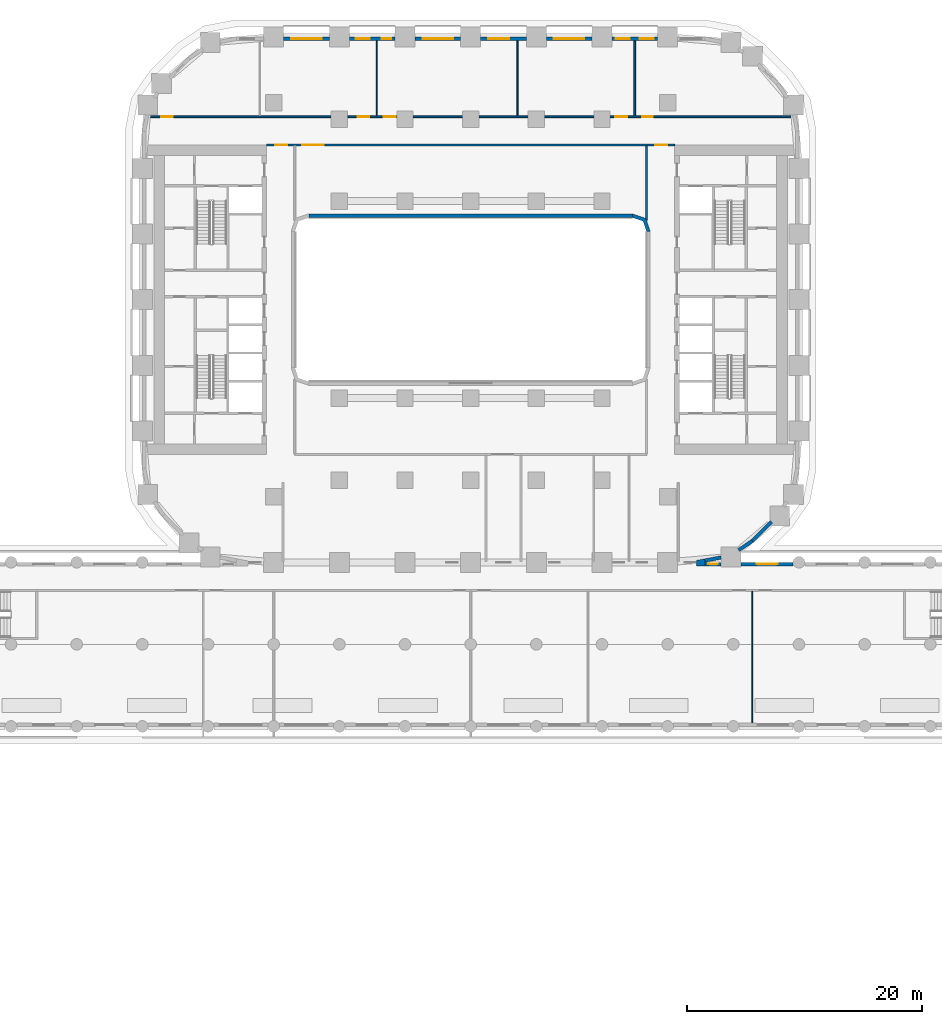
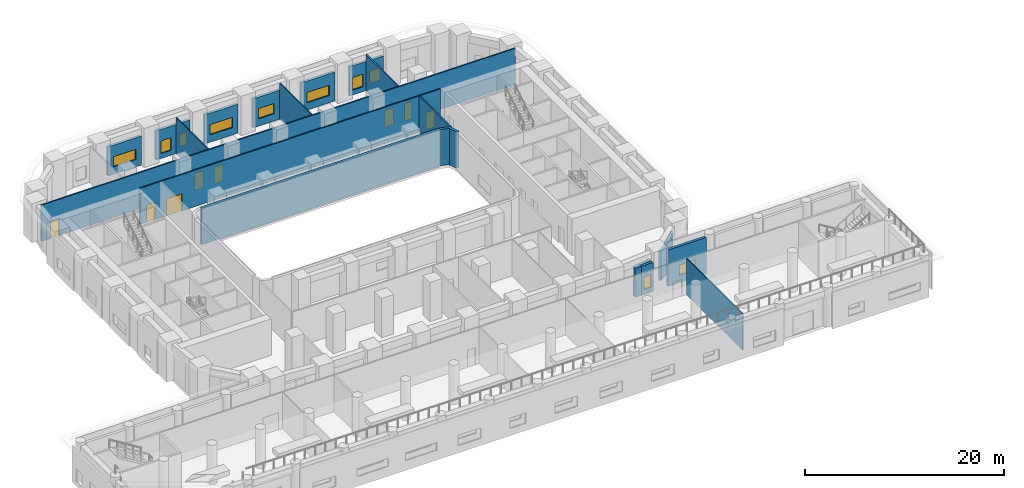
# One storey, part 24 of 35: 21 walls, 10 windows, 8 doors, 18 openings.
"""IFC4 building model written with IfcOpenShell, lengths in metres."""

import ifcopenshell
import ifcopenshell.guid

model = None  # the IFC model being written
_history = None  # IfcOwnerHistory: only IFC2X3 demands one
_inside = {}  # id of a spatial element -> (the spatial element, [elements in it])
_under = {}  # id of a project, library or spatial element -> (it, [spatial elements below it])
_declared = {}  # id of a project -> (the project, [libraries it declares])
_typed = {}  # id of a type object -> (the type object, [elements of that type])
_made_of = {}  # id of a material, layer set ... -> (it, [elements and type objects made of it])


def new_model(schema):
    """Start an empty IFC model of exactly this schema.

    Asked for "IFC4X3", IfcOpenShell would pick the latest addendum, in which some entities
    have other attributes; the version numbers below select the first issue.
    IFC2X3 requires an IfcOwnerHistory on every rooted entity: one is made here for all.
    """
    global model, _history
    if schema == "IFC4X3":
        model = ifcopenshell.file(schema_version=(4, 3, 0, 0))
    else:
        model = ifcopenshell.file(schema=schema)
    _inside.clear()
    _under.clear()
    _declared.clear()
    _typed.clear()
    _made_of.clear()
    _history = None
    if model.schema == "IFC2X3":
        org = make("IfcOrganization", Name="unknown")
        user = make(
            "IfcPersonAndOrganization",
            ThePerson=make("IfcPerson", FamilyName="unknown"),
            TheOrganization=org,
        )
        app = make(
            "IfcApplication",
            ApplicationDeveloper=org,
            Version="unknown",
            ApplicationFullName="unknown",
            ApplicationIdentifier="unknown",
        )
        _history = make(
            "IfcOwnerHistory",
            OwningUser=user,
            OwningApplication=app,
            ChangeAction="ADDED",
            CreationDate=0,
        )
    return model


def make(cls, **values):
    """One entity of the class cls with the attributes given. An attribute that is None is left unset."""
    return model.create_entity(
        cls, **{name: value for name, value in values.items() if value is not None}
    )


def rooted(cls, **values):
    """An entity with a GlobalId (a new one), such as an element, a storey or a relation."""
    return make(cls, GlobalId=ifcopenshell.guid.new(), OwnerHistory=_history, **values)


def si_unit(unit_type, name, prefix=None):
    """IfcSIUnit, for example si_unit("LENGTHUNIT", "METRE", prefix="MILLI")."""
    return make("IfcSIUnit", UnitType=unit_type, Prefix=prefix, Name=name)


def assignment(units):
    """IfcUnitAssignment: the units of a project."""
    return None if units is None else make("IfcUnitAssignment", Units=units)


def point(xyz):
    """IfcCartesianPoint."""
    return None if xyz is None else make("IfcCartesianPoint", Coordinates=xyz)


def direction(xyz):
    """IfcDirection."""
    return None if xyz is None else make("IfcDirection", DirectionRatios=xyz)


def frame(location, z_axis=None, x_axis=None):
    """IfcAxis2Placement3D, a coordinate frame: its origin and axes. An axis left out is left unset."""
    return make(
        "IfcAxis2Placement3D",
        Location=point(location),
        Axis=direction(z_axis),
        RefDirection=direction(x_axis),
    )


def frame_2d(location, x_axis=None):
    """IfcAxis2Placement2D, a coordinate frame in the plane: its origin and x axis."""
    return make(
        "IfcAxis2Placement2D", Location=point(location), RefDirection=direction(x_axis)
    )


def origin():
    """The frame at (0, 0, 0) with its axes left unset."""
    return frame((0.0, 0.0, 0.0))


def place(relative_to, where):
    """IfcLocalPlacement: puts the frame where relative to a parent placement (None: the world)."""
    return make(
        "IfcLocalPlacement", PlacementRelTo=relative_to, RelativePlacement=where
    )


def context(
    kind, dimensions, precision=None, world=None, true_north=None, identifier=None
):
    """IfcGeometricRepresentationContext, for example the 3D "Model" context."""
    return make(
        "IfcGeometricRepresentationContext",
        ContextIdentifier=identifier,
        ContextType=kind,
        CoordinateSpaceDimension=dimensions,
        Precision=precision,
        WorldCoordinateSystem=world,
        TrueNorth=true_north,
    )


def subcontext(parent, identifier, kind, view, scale=None):
    """IfcGeometricRepresentationSubContext, for example "Body" below "Model"."""
    return make(
        "IfcGeometricRepresentationSubContext",
        ContextIdentifier=identifier,
        ContextType=kind,
        ParentContext=parent,
        TargetScale=scale,
        TargetView=view,
    )


def project(units=None, contexts=None):
    """IfcProject with its units and contexts."""
    return rooted(
        "IfcProject",
        Name="project",
        RepresentationContexts=contexts,
        UnitsInContext=assignment(units),
    )


def spatial(cls, under=None, at=None, **own):
    """A site, building, storey or space (cls), placed at a placement, below another one or the project."""
    s = rooted(cls, ObjectPlacement=at, **own)
    if under is not None:
        _under.setdefault(under.id(), (under, []))[1].append(s)
    return s


def polyline(points):
    """IfcPolyline through the points."""
    return make("IfcPolyline", Points=[point(p) for p in points])


def profile(cls, at=None, kind="AREA", **sizes):
    """A parametric profile (cls). Its sizes go by their IFC names, for example OverallWidth=200.0."""
    return make(cls, ProfileType=kind, Position=at, **sizes)


def rectangle(**sizes):
    """IfcRectangleProfileDef."""
    return profile("IfcRectangleProfileDef", **sizes)


def outline(outer, holes=None, kind="AREA"):
    """IfcArbitraryClosedProfileDef: a profile drawn as a closed curve; with holes, ...WithVoids."""
    if holes is None:
        return make("IfcArbitraryClosedProfileDef", ProfileType=kind, OuterCurve=outer)
    return make(
        "IfcArbitraryProfileDefWithVoids",
        ProfileType=kind,
        OuterCurve=outer,
        InnerCurves=holes,
    )


def extrude(swept, where, along, depth):
    """IfcExtrudedAreaSolid: the profile swept, set in the frame where, extruded along a direction by depth."""
    return make(
        "IfcExtrudedAreaSolid",
        SweptArea=swept,
        Position=where,
        ExtrudedDirection=direction(along),
        Depth=depth,
    )


def shape(context_of_items, identifier, shape_type, items):
    """IfcShapeRepresentation: the items that make up one representation, for example the "Body"."""
    return make(
        "IfcShapeRepresentation",
        ContextOfItems=context_of_items,
        RepresentationIdentifier=identifier,
        RepresentationType=shape_type,
        Items=items,
    )


def material(Name=None, Category=None):
    """IfcMaterial."""
    return make("IfcMaterial", Name=Name, Category=Category)


def layer(
    of_material, thickness, ventilated=None, Name=None, Category=None, Priority=None
):
    """IfcMaterialLayer: one layer of a wall or slab, of a material (None: an air gap)."""
    return make(
        "IfcMaterialLayer",
        Material=of_material,
        LayerThickness=thickness,
        IsVentilated=ventilated,
        Name=Name,
        Category=Category,
        Priority=Priority,
    )


def layer_set(layers, Name=None):
    """IfcMaterialLayerSet."""
    return make("IfcMaterialLayerSet", MaterialLayers=layers, LayerSetName=Name)


def made_of(thing, what):
    """Note that an element or type object is made of a material, layer set ...; save() writes the relation."""
    if what is not None:
        _made_of.setdefault(what.id(), (what, []))[1].append(thing)
    return thing


def type_object(cls, material=None, **own):
    """A type object (cls), such as IfcWallType, which elements share."""
    return made_of(rooted(cls, **own), material)


def element(
    cls,
    number,
    at=None,
    inside=None,
    cuts=None,
    type_object=None,
    material=None,
    context=None,
    identifier="Body",
    shape_type=None,
    held_by="IfcProductDefinitionShape",
    body=None,
    shapes=None,
    **own,
):
    """One element of the class cls, such as IfcWall. Its Tag is "e" and its number.

    at: its placement. inside: the storey or other place that contains it. cuts: it is an
    opening in that element (IfcRelVoidsElement). A single representation is given by context,
    identifier, shape_type and body (its items); several are given by shapes. held_by: the class
    of the entity that holds the representations. save() writes the other relations.
    """
    e = rooted(cls, Tag="e%d" % number, ObjectPlacement=at, **own)
    if body is not None:
        shapes = [shape(context, identifier, shape_type, body)]
    if shapes is not None:
        e.Representation = make(held_by, Representations=shapes)
    if inside is not None:
        _inside.setdefault(inside.id(), (inside, []))[1].append(e)
    if cuts is not None:
        rooted(
            "IfcRelVoidsElement", RelatingBuildingElement=cuts, RelatedOpeningElement=e
        )
    if type_object is not None:
        _typed.setdefault(type_object.id(), (type_object, []))[1].append(e)
    return made_of(e, material)


def fill(opening, filler):
    """IfcRelFillsElement: the door or window that sits in an opening."""
    return rooted(
        "IfcRelFillsElement",
        RelatingOpeningElement=opening,
        RelatedBuildingElement=filler,
    )


def aggregate(whole, parts):
    """IfcRelAggregates: a whole, such as a stair, and the parts it consists of."""
    return rooted("IfcRelAggregates", RelatingObject=whole, RelatedObjects=parts)


def save(model, path):
    """Write the relations noted so far, then the file.

    IfcRelAggregates (storeys below a building ...), IfcRelContainedInSpatialStructure (elements
    in a storey), IfcRelDefinesByType, IfcRelAssociatesMaterial and IfcRelDeclares: one each for
    every whole, place, type object, material and project.
    """
    for whole, parts in _under.values():
        aggregate(whole, parts)
    for where, things in _inside.values():
        rooted(
            "IfcRelContainedInSpatialStructure",
            RelatedElements=things,
            RelatingStructure=where,
        )
    for kind, things in _typed.values():
        rooted("IfcRelDefinesByType", RelatedObjects=things, RelatingType=kind)
    for what, things in _made_of.values():
        rooted("IfcRelAssociatesMaterial", RelatedObjects=things, RelatingMaterial=what)
    for by, libraries in _declared.values():
        rooted("IfcRelDeclares", RelatingContext=by, RelatedDefinitions=libraries)
    model.write(path)


model = new_model("IFC4")

# Units and contexts
model_context = context("Model", 3, precision=1e-05, world=origin(), true_north=direction((0.0, 1.0)))
body_context = subcontext(model_context, "Body", "Model", "MODEL_VIEW")
ifc_project = project(units=[si_unit("LENGTHUNIT", "METRE"), si_unit("AREAUNIT", "SQUARE_METRE"), si_unit("VOLUMEUNIT", "CUBIC_METRE"), si_unit("PLANEANGLEUNIT", "RADIAN"), si_unit("MASSUNIT", "GRAM", prefix="KILO")], contexts=[model_context])

# Site, building, storey
site_placement = place(None, origin())
site = spatial("IfcSite", under=ifc_project, at=site_placement, CompositionType="ELEMENT")
building_placement = place(site_placement, origin())
building = spatial("IfcBuilding", under=site, at=building_placement, Name="Kiln Ring Residences", CompositionType="ELEMENT")
storey_placement = place(building_placement, frame((0.0, 0.0, 20.89990234375)))
storey = spatial("IfcBuildingStorey", under=building, at=storey_placement, Name="L04", CompositionType="ELEMENT", Elevation=20.89990234375)

# Wall, opening, window
ifc_material_1 = material(Name="Brick masonry, dark clay brick", Category="masonry")
ifc_layer_1 = layer(ifc_material_1, 0.300048828125)
ifc_layer_set_1 = layer_set([ifc_layer_1], Name="EW-300 BRICK WALL")
wall_type_1 = type_object("IfcWallType", Name="EW-300 BRICK WALL", PredefinedType="SOLIDWALL", material=ifc_layer_set_1)
wall_1_placement = place(storey_placement, frame((27.5, -22.550048828125, 0.0), z_axis=(0.0, 0.0, 1.0), x_axis=(-1.0, 0.0, 0.0)))
wall_1 = element("IfcWall", 1, at=wall_1_placement, inside=storey, type_object=wall_type_1, Name="Facade wall L04 6", PredefinedType="SOLIDWALL", context=body_context, shape_type="SweptSolid", body=[
    extrude(rectangle(XDim=4.44140625, YDim=0.300048828125, at=frame_2d((2.220703125, 0.0))), origin(), (0.0, 0.0, 1.0), 4.4501953125),
])
opening_1_placement = place(wall_1_placement, frame((1.320556640625, 0.0, 0.89990234375)))
opening_1 = element("IfcOpeningElement", 2, at=opening_1_placement, cuts=wall_1, Name="Opening W2", PredefinedType="OPENING", context=body_context, shape_type="SweptSolid", body=[
    extrude(rectangle(XDim=1.800048828125, YDim=1.25, at=frame_2d((0.89990234375, 0.625))), frame((0.0, 0.159912109375, 0.0), z_axis=(0.0, -1.0, 0.0), x_axis=(1.0, 0.0, 0.0)), (0.0, 0.0, 1.0), 0.320068359375),
])
ifc_material_2 = material(Name="Aluminium frame with double glazing", Category="aluminium")
window_type_1 = type_object("IfcWindowType", Name="WINDOW 1800 x 1250", PartitioningType="SINGLE_PANEL", PredefinedType="WINDOW", material=ifc_material_2)
window_1_placement = place(opening_1_placement, origin())
window_1 = element("IfcWindow", 3, at=window_1_placement, inside=storey, type_object=window_type_1, Name="Window L04 7", OverallHeight=1.25, OverallWidth=1.800048828125, PartitioningType="SINGLE_PANEL", PredefinedType="WINDOW", context=body_context, shape_type="SweptSolid", body=[
    extrude(rectangle(XDim=1.800048828125, YDim=1.25, at=frame_2d((0.89990234375, 0.625))), frame((0.0, 0.030029296875, 0.0), z_axis=(0.0, -1.0, 0.0), x_axis=(1.0, 0.0, 0.0)), (0.0, 0.0, 1.0), 0.06005859375),
])
fill(opening_1, window_1)

wall_2_placement = place(storey_placement, frame((21.358642578125, -22.550048828125, 0.0), z_axis=(0.0, 0.0, 1.0), x_axis=(-1.0, 0.0, 0.0)))
wall_2 = element("IfcWall", 4, at=wall_2_placement, inside=storey, type_object=wall_type_1, Name="Facade wall L04 7", PredefinedType="SOLIDWALL", context=body_context, shape_type="SweptSolid", body=[
    extrude(rectangle(XDim=1.358642578125, YDim=0.300048828125, at=frame_2d((0.67919921875, 0.0))), origin(), (0.0, 0.0, 1.0), 3.550048828125),
])
opening_2_placement = place(wall_2_placement, frame((0.279296875, 0.0, 0.60009765625)))
opening_2 = element("IfcOpeningElement", 5, at=opening_2_placement, cuts=wall_2, Name="Opening W5", PredefinedType="OPENING", context=body_context, shape_type="SweptSolid", body=[
    extrude(rectangle(XDim=0.800048828125, YDim=1.550048828125, at=frame_2d((0.39990234375, 0.77490234375))), frame((0.0, 0.159912109375, 0.0), z_axis=(0.0, -1.0, 0.0), x_axis=(1.0, 0.0, 0.0)), (0.0, 0.0, 1.0), 0.320068359375),
])
ifc_material_3 = material(Name="Aluminium frame with double glazing", Category="aluminium")
window_type_2 = type_object("IfcWindowType", Name="WINDOW 800 x 1550", PartitioningType="SINGLE_PANEL", PredefinedType="WINDOW", material=ifc_material_3)
window_2_placement = place(opening_2_placement, origin())
window_2 = element("IfcWindow", 6, at=window_2_placement, inside=storey, type_object=window_type_2, Name="Window L04 8", OverallHeight=1.550048828125, OverallWidth=0.800048828125, PartitioningType="SINGLE_PANEL", PredefinedType="WINDOW", context=body_context, shape_type="SweptSolid", body=[
    extrude(rectangle(XDim=0.800048828125, YDim=1.550048828125, at=frame_2d((0.39990234375, 0.77490234375))), frame((0.0, 0.030029296875, 0.0), z_axis=(0.0, -1.0, 0.0), x_axis=(1.0, 0.0, 0.0)), (0.0, 0.0, 1.0), 0.06005859375),
])
fill(opening_2, window_2)

# Walls
for number, where, z_axis, x_axis, name in (
    (7, (19.971923828125, -22.252685546875, 0.0), (0.0, 0.0, 1.0), (0.98229142023, 0.187359455971, 0.0), "Facade wall L04 8"),
    (8, (22.849853515625, -21.369140625, 0.0), (0.0, 0.0, 1.0), (0.827075041075, 0.562091519622, 0.0), "Facade wall L04 9"),
):
    element("IfcWall", number, at=place(storey_placement, frame(where, z_axis=z_axis, x_axis=x_axis)), inside=storey, type_object=wall_type_1, Name=name, PredefinedType="SOLIDWALL", context=body_context, shape_type="SweptSolid", body=[
        extrude(rectangle(XDim=1.406005859375, YDim=0.300048828125, at=frame_2d((0.703125, 0.0))), origin(), (0.0, 0.0, 1.0), 3.550048828125),
    ])
wall_3_placement = place(storey_placement, frame((23.990966796875, -20.596923828125, 0.0), z_axis=(0.0, 0.0, 1.0), x_axis=(0.707054835785, 0.707158722772, 0.0)))
element("IfcWall", 9, at=wall_3_placement, inside=storey, type_object=wall_type_1, Name="Facade wall L04 10", PredefinedType="SOLIDWALL", context=body_context, shape_type="SweptSolid", body=[
    extrude(rectangle(XDim=2.35009765625, YDim=0.300048828125, at=frame_2d((1.175048828125, 0.0))), origin(), (0.0, 0.0, 1.0), 3.550048828125),
])

# Wall, openings, windows
wall_4_placement = place(storey_placement, frame((15.949951171875, 22.25, 0.0), z_axis=(0.0, 0.0, 1.0), x_axis=(-1.0, 0.0, 0.0)))
wall_4 = element("IfcWall", 10, at=wall_4_placement, inside=storey, type_object=wall_type_1, Name="Facade wall L04 25", PredefinedType="SOLIDWALL", context=body_context, shape_type="SweptSolid", body=[
    extrude(rectangle(XDim=3.89990234375, YDim=0.300048828125, at=frame_2d((1.949951171875, 0.0))), origin(), (0.0, 0.0, 1.0), 3.550048828125),
])
opening_3_placement = place(wall_4_placement, frame((0.33740234375, 0.0, 0.60009765625)))
opening_3 = element("IfcOpeningElement", 11, at=opening_3_placement, cuts=wall_4, Name="Opening W1", PredefinedType="OPENING", context=body_context, shape_type="SweptSolid", body=[
    extrude(rectangle(XDim=1.199951171875, YDim=1.550048828125, at=frame_2d((0.60009765625, 0.77490234375))), frame((0.0, 0.159912109375, 0.0), z_axis=(0.0, -1.0, 0.0), x_axis=(1.0, 0.0, 0.0)), (0.0, 0.0, 1.0), 0.320068359375),
])
opening_4_placement = place(wall_4_placement, frame((2.362548828125, 0.0, 0.60009765625)))
opening_4 = element("IfcOpeningElement", 12, at=opening_4_placement, cuts=wall_4, Name="Opening W1", PredefinedType="OPENING", context=body_context, shape_type="SweptSolid", body=[
    extrude(rectangle(XDim=1.199951171875, YDim=1.550048828125, at=frame_2d((0.60009765625, 0.77490234375))), frame((0.0, 0.159912109375, 0.0), z_axis=(0.0, -1.0, 0.0), x_axis=(1.0, 0.0, 0.0)), (0.0, 0.0, 1.0), 0.320068359375),
])
ifc_material_4 = material(Name="Aluminium frame with double glazing", Category="aluminium")
window_type_3 = type_object("IfcWindowType", Name="WINDOW 1200 x 1550", PartitioningType="SINGLE_PANEL", PredefinedType="WINDOW", material=ifc_material_4)
window_3_placement = place(opening_3_placement, origin())
window_3 = element("IfcWindow", 13, at=window_3_placement, inside=storey, type_object=window_type_3, Name="Window L04 11", OverallHeight=1.550048828125, OverallWidth=1.199951171875, PartitioningType="SINGLE_PANEL", PredefinedType="WINDOW", context=body_context, shape_type="SweptSolid", body=[
    extrude(rectangle(XDim=1.199951171875, YDim=1.550048828125, at=frame_2d((0.60009765625, 0.77490234375))), frame((0.0, 0.030029296875, 0.0), z_axis=(0.0, -1.0, 0.0), x_axis=(1.0, 0.0, 0.0)), (0.0, 0.0, 1.0), 0.06005859375),
])
fill(opening_3, window_3)
window_4_placement = place(opening_4_placement, origin())
window_4 = element("IfcWindow", 14, at=window_4_placement, inside=storey, type_object=window_type_3, Name="Window L04 12", OverallHeight=1.550048828125, OverallWidth=1.199951171875, PartitioningType="SINGLE_PANEL", PredefinedType="WINDOW", context=body_context, shape_type="SweptSolid", body=[
    extrude(rectangle(XDim=1.199951171875, YDim=1.550048828125, at=frame_2d((0.60009765625, 0.77490234375))), frame((0.0, 0.030029296875, 0.0), z_axis=(0.0, -1.0, 0.0), x_axis=(1.0, 0.0, 0.0)), (0.0, 0.0, 1.0), 0.06005859375),
])
fill(opening_4, window_4)

# Wall, opening, window
wall_5_placement = place(storey_placement, frame((10.35009765625, 22.25, 0.0), z_axis=(0.0, 0.0, 1.0), x_axis=(-1.0, 0.0, 0.0)))
wall_5 = element("IfcWall", 15, at=wall_5_placement, inside=storey, type_object=wall_type_1, Name="Facade wall L04 26", PredefinedType="SOLIDWALL", context=body_context, shape_type="SweptSolid", body=[
    extrude(rectangle(XDim=3.900146484375, YDim=0.300048828125, at=frame_2d((1.9501953125, 0.0))), origin(), (0.0, 0.0, 1.0), 3.550048828125),
])
opening_5_placement = place(wall_5_placement, frame((0.64990234375, 0.0, 0.89990234375)))
opening_5 = element("IfcOpeningElement", 16, at=opening_5_placement, cuts=wall_5, Name="Opening W3", PredefinedType="OPENING", context=body_context, shape_type="SweptSolid", body=[
    extrude(rectangle(XDim=2.60009765625, YDim=1.25, at=frame_2d((1.300048828125, 0.625))), frame((0.0, 0.159912109375, 0.0), z_axis=(0.0, -1.0, 0.0), x_axis=(1.0, 0.0, 0.0)), (0.0, 0.0, 1.0), 0.320068359375),
])
ifc_material_5 = material(Name="Aluminium frame with double glazing", Category="aluminium")
window_type_4 = type_object("IfcWindowType", Name="WINDOW 2600 x 1250", PartitioningType="SINGLE_PANEL", PredefinedType="WINDOW", material=ifc_material_5)
window_5_placement = place(opening_5_placement, origin())
window_5 = element("IfcWindow", 17, at=window_5_placement, inside=storey, type_object=window_type_4, Name="Window L04 13", OverallHeight=1.25, OverallWidth=2.60009765625, PartitioningType="SINGLE_PANEL", PredefinedType="WINDOW", context=body_context, shape_type="SweptSolid", body=[
    extrude(rectangle(XDim=2.60009765625, YDim=1.25, at=frame_2d((1.300048828125, 0.625))), frame((0.0, 0.030029296875, 0.0), z_axis=(0.0, -1.0, 0.0), x_axis=(1.0, 0.0, 0.0)), (0.0, 0.0, 1.0), 0.06005859375),
])
fill(opening_5, window_5)

wall_6_placement = place(storey_placement, frame((4.75, 22.25, 0.0), z_axis=(0.0, 0.0, 1.0), x_axis=(-1.0, 0.0, 0.0)))
wall_6 = element("IfcWall", 18, at=wall_6_placement, inside=storey, type_object=wall_type_1, Name="Facade wall L04 27", PredefinedType="SOLIDWALL", context=body_context, shape_type="SweptSolid", body=[
    extrude(rectangle(XDim=3.89990234375, YDim=0.300048828125, at=frame_2d((1.949951171875, 0.0))), origin(), (0.0, 0.0, 1.0), 3.550048828125),
])
opening_6_placement = place(wall_6_placement, frame((1.46240234375, 0.0, 0.89990234375)))
opening_6 = element("IfcOpeningElement", 19, at=opening_6_placement, cuts=wall_6, Name="Opening W2", PredefinedType="OPENING", context=body_context, shape_type="SweptSolid", body=[
    extrude(rectangle(XDim=1.800048828125, YDim=1.25, at=frame_2d((0.89990234375, 0.625))), frame((0.0, 0.159912109375, 0.0), z_axis=(0.0, -1.0, 0.0), x_axis=(1.0, 0.0, 0.0)), (0.0, 0.0, 1.0), 0.320068359375),
])
window_6_placement = place(opening_6_placement, origin())
window_6 = element("IfcWindow", 20, at=window_6_placement, inside=storey, type_object=window_type_1, Name="Window L04 14", OverallHeight=1.25, OverallWidth=1.800048828125, PartitioningType="SINGLE_PANEL", PredefinedType="WINDOW", context=body_context, shape_type="SweptSolid", body=[
    extrude(rectangle(XDim=1.800048828125, YDim=1.25, at=frame_2d((0.89990234375, 0.625))), frame((0.0, 0.030029296875, 0.0), z_axis=(0.0, -1.0, 0.0), x_axis=(1.0, 0.0, 0.0)), (0.0, 0.0, 1.0), 0.06005859375),
])
fill(opening_6, window_6)

wall_7_placement = place(storey_placement, frame((-0.85009765625, 22.25, 0.0), z_axis=(0.0, 0.0, 1.0), x_axis=(-1.0, 0.0, 0.0)))
wall_7 = element("IfcWall", 21, at=wall_7_placement, inside=storey, type_object=wall_type_1, Name="Facade wall L04 28", PredefinedType="SOLIDWALL", context=body_context, shape_type="SweptSolid", body=[
    extrude(rectangle(XDim=3.89990234375, YDim=0.300048828125, at=frame_2d((1.949951171875, 0.0))), origin(), (0.0, 0.0, 1.0), 3.550048828125),
])
opening_7_placement = place(wall_7_placement, frame((0.64990234375, 0.0, 0.89990234375)))
opening_7 = element("IfcOpeningElement", 22, at=opening_7_placement, cuts=wall_7, Name="Opening W3", PredefinedType="OPENING", context=body_context, shape_type="SweptSolid", body=[
    extrude(rectangle(XDim=2.60009765625, YDim=1.25, at=frame_2d((1.300048828125, 0.625))), frame((0.0, 0.159912109375, 0.0), z_axis=(0.0, -1.0, 0.0), x_axis=(1.0, 0.0, 0.0)), (0.0, 0.0, 1.0), 0.320068359375),
])
window_7_placement = place(opening_7_placement, origin())
window_7 = element("IfcWindow", 23, at=window_7_placement, inside=storey, type_object=window_type_4, Name="Window L04 15", OverallHeight=1.25, OverallWidth=2.60009765625, PartitioningType="SINGLE_PANEL", PredefinedType="WINDOW", context=body_context, shape_type="SweptSolid", body=[
    extrude(rectangle(XDim=2.60009765625, YDim=1.25, at=frame_2d((1.300048828125, 0.625))), frame((0.0, 0.030029296875, 0.0), z_axis=(0.0, -1.0, 0.0), x_axis=(1.0, 0.0, 0.0)), (0.0, 0.0, 1.0), 0.06005859375),
])
fill(opening_7, window_7)

# Wall, openings, windows
wall_8_placement = place(storey_placement, frame((-6.449951171875, 22.25, 0.0), z_axis=(0.0, 0.0, 1.0), x_axis=(-1.0, 0.0, 0.0)))
wall_8 = element("IfcWall", 24, at=wall_8_placement, inside=storey, type_object=wall_type_1, Name="Facade wall L04 29", PredefinedType="SOLIDWALL", context=body_context, shape_type="SweptSolid", body=[
    extrude(rectangle(XDim=3.900146484375, YDim=0.300048828125, at=frame_2d((1.9501953125, 0.0))), origin(), (0.0, 0.0, 1.0), 3.550048828125),
])
opening_8_placement = place(wall_8_placement, frame((0.33740234375, 0.0, 0.60009765625)))
opening_8 = element("IfcOpeningElement", 25, at=opening_8_placement, cuts=wall_8, Name="Opening W5", PredefinedType="OPENING", context=body_context, shape_type="SweptSolid", body=[
    extrude(rectangle(XDim=0.800048828125, YDim=1.550048828125, at=frame_2d((0.39990234375, 0.77490234375))), frame((0.0, 0.159912109375, 0.0), z_axis=(0.0, -1.0, 0.0), x_axis=(1.0, 0.0, 0.0)), (0.0, 0.0, 1.0), 0.320068359375),
])
opening_9_placement = place(wall_8_placement, frame((2.16259765625, 0.0, 0.60009765625)))
opening_9 = element("IfcOpeningElement", 26, at=opening_9_placement, cuts=wall_8, Name="Opening W1", PredefinedType="OPENING", context=body_context, shape_type="SweptSolid", body=[
    extrude(rectangle(XDim=1.199951171875, YDim=1.550048828125, at=frame_2d((0.60009765625, 0.77490234375))), frame((0.0, 0.159912109375, 0.0), z_axis=(0.0, -1.0, 0.0), x_axis=(1.0, 0.0, 0.0)), (0.0, 0.0, 1.0), 0.320068359375),
])
window_8_placement = place(opening_9_placement, origin())
window_8 = element("IfcWindow", 27, at=window_8_placement, inside=storey, type_object=window_type_3, Name="Window L04 17", OverallHeight=1.550048828125, OverallWidth=1.199951171875, PartitioningType="SINGLE_PANEL", PredefinedType="WINDOW", context=body_context, shape_type="SweptSolid", body=[
    extrude(rectangle(XDim=1.199951171875, YDim=1.550048828125, at=frame_2d((0.60009765625, 0.77490234375))), frame((0.0, 0.030029296875, 0.0), z_axis=(0.0, -1.0, 0.0), x_axis=(1.0, 0.0, 0.0)), (0.0, 0.0, 1.0), 0.06005859375),
])
fill(opening_9, window_8)
window_9_placement = place(opening_8_placement, origin())
window_9 = element("IfcWindow", 28, at=window_9_placement, inside=storey, type_object=window_type_2, Name="Window L04 16", OverallHeight=1.550048828125, OverallWidth=0.800048828125, PartitioningType="SINGLE_PANEL", PredefinedType="WINDOW", context=body_context, shape_type="SweptSolid", body=[
    extrude(rectangle(XDim=0.800048828125, YDim=1.550048828125, at=frame_2d((0.39990234375, 0.77490234375))), frame((0.0, 0.030029296875, 0.0), z_axis=(0.0, -1.0, 0.0), x_axis=(1.0, 0.0, 0.0)), (0.0, 0.0, 1.0), 0.06005859375),
])
fill(opening_8, window_9)

# Wall, opening, window
wall_9_placement = place(storey_placement, frame((-12.050048828125, 22.25, 0.0), z_axis=(0.0, 0.0, 1.0), x_axis=(-1.0, 0.0, 0.0)))
wall_9 = element("IfcWall", 29, at=wall_9_placement, inside=storey, type_object=wall_type_1, Name="Facade wall L04 30", PredefinedType="SOLIDWALL", context=body_context, shape_type="SweptSolid", body=[
    extrude(rectangle(XDim=3.89990234375, YDim=0.300048828125, at=frame_2d((1.949951171875, 0.0))), origin(), (0.0, 0.0, 1.0), 3.550048828125),
])
opening_10_placement = place(wall_9_placement, frame((0.64990234375, 0.0, 0.89990234375)))
opening_10 = element("IfcOpeningElement", 30, at=opening_10_placement, cuts=wall_9, Name="Opening W3", PredefinedType="OPENING", context=body_context, shape_type="SweptSolid", body=[
    extrude(rectangle(XDim=2.60009765625, YDim=1.25, at=frame_2d((1.300048828125, 0.625))), frame((0.0, 0.159912109375, 0.0), z_axis=(0.0, -1.0, 0.0), x_axis=(1.0, 0.0, 0.0)), (0.0, 0.0, 1.0), 0.320068359375),
])
window_10_placement = place(opening_10_placement, origin())
window_10 = element("IfcWindow", 31, at=window_10_placement, inside=storey, type_object=window_type_4, Name="Window L04 18", OverallHeight=1.25, OverallWidth=2.60009765625, PartitioningType="SINGLE_PANEL", PredefinedType="WINDOW", context=body_context, shape_type="SweptSolid", body=[
    extrude(rectangle(XDim=2.60009765625, YDim=1.25, at=frame_2d((1.300048828125, 0.625))), frame((0.0, 0.030029296875, 0.0), z_axis=(0.0, -1.0, 0.0), x_axis=(1.0, 0.0, 0.0)), (0.0, 0.0, 1.0), 0.06005859375),
])
fill(opening_10, window_10)

# Walls
wall_10_placement = place(storey_placement, frame((-13.800048828125, 7.14990234375, 0.0), z_axis=(0.0, 0.0, 1.0), x_axis=(1.0, 0.0, 0.0)))
element("IfcWall", 32, at=wall_10_placement, inside=storey, type_object=wall_type_1, Name="Facade wall L04 72", PredefinedType="SOLIDWALL", context=body_context, shape_type="SweptSolid", body=[
    extrude(rectangle(XDim=27.60009765625, YDim=0.300048828125, at=frame_2d((13.800048828125, 0.0))), origin(), (0.0, 0.0, 1.0), 4.4501953125),
])
placement = place(storey_placement, origin())
element("IfcWall", 33, at=placement, inside=storey, type_object=wall_type_1, Name="Corner wall L04 1", PredefinedType="SOLIDWALL", context=body_context, shape_type="SweptSolid", body=[
    extrude(outline(polyline([(19.94384765625, -22.105224609375), (19.2509765625, -22.237548828125), (19.2509765625, -22.699951171875), (20.0, -22.699951171875), (20.0, -22.39990234375), (19.94384765625, -22.105224609375)])), origin(), (0.0, 0.0, 1.0), 3.550048828125),
])
element("IfcWall", 34, at=placement, inside=storey, type_object=wall_type_1, Name="Corner wall L04 4", PredefinedType="SOLIDWALL", context=body_context, shape_type="SweptSolid", body=[
    extrude(outline(polyline([(14.937255859375, 6.937255859375), (13.8486328125, 7.300048828125), (13.800048828125, 7.300048828125), (13.800048828125, 7.0), (14.699951171875, 6.699951171875), (15.0, 5.800048828125), (15.300048828125, 5.800048828125), (15.300048828125, 5.8486328125), (14.937255859375, 6.937255859375)])), origin(), (0.0, 0.0, 1.0), 4.4501953125),
])
ifc_material_6 = material(Name="Gypsum board on steel studs", Category="steel")
ifc_layer_2 = layer(ifc_material_6, 0.10009765625)
ifc_layer_set_2 = layer_set([ifc_layer_2], Name="PARTITION-100")
wall_type_2 = type_object("IfcWallType", Name="PARTITION-100", PredefinedType="PARTITIONING", material=ifc_layer_set_2)
for number, where, z_axis, x_axis, name in (
    (35, (-8.0, 15.675048828125, 0.0), (0.0, 0.0, 1.0), (0.0, 1.0, 0.0), "Partition 016"),
    (36, (4.0, 15.675048828125, 0.0), (0.0, 0.0, 1.0), (0.0, 1.0, 0.0), "Partition 019"),
):
    element("IfcWall", number, at=place(storey_placement, frame(where, z_axis=z_axis, x_axis=x_axis)), inside=storey, type_object=wall_type_2, Name=name, PredefinedType="PARTITIONING", context=body_context, shape_type="SweptSolid", body=[
        extrude(rectangle(XDim=6.405029296875, YDim=0.10009765625, at=frame_2d((3.20263671875, 0.0))), origin(), (0.0, 0.0, 1.0), 4.4501953125),
    ])
wall_13_placement = place(storey_placement, frame((24.0, -36.080078125, 0.0), z_axis=(0.0, 0.0, 1.0), x_axis=(0.0, 1.0, 0.0)))
element("IfcWall", 37, at=wall_13_placement, inside=storey, type_object=wall_type_2, Name="Partition 028", PredefinedType="PARTITIONING", context=body_context, shape_type="SweptSolid", body=[
    extrude(rectangle(XDim=11.205078125, YDim=0.10009765625, at=frame_2d((5.6025390625, 0.0))), origin(), (0.0, 0.0, 1.0), 4.4501953125),
])

# Wall, openings, doors
ifc_material_7 = material(Name="Brick masonry partition", Category="masonry")
ifc_layer_3 = layer(ifc_material_7, 0.14990234375)
ifc_layer_set_3 = layer_set([ifc_layer_3], Name="PARTITION-150-ei60")
wall_type_3 = type_object("IfcWallType", Name="PARTITION-150-ei60", PredefinedType="PARTITIONING", material=ifc_layer_set_3)
wall_14_placement = place(storey_placement, frame((-17.39990234375, 13.199951171875, 0.0), z_axis=(0.0, 0.0, 1.0), x_axis=(1.0, 0.0, 0.0)))
wall_14 = element("IfcWall", 38, at=wall_14_placement, inside=storey, type_object=wall_type_3, Name="Partition 007", PredefinedType="PARTITIONING", context=body_context, shape_type="SweptSolid", body=[
    extrude(rectangle(XDim=34.7998046875, YDim=0.14990234375, at=frame_2d((17.39990234375, 0.0))), origin(), (0.0, 0.0, 1.0), 4.4501953125),
])
opening_11_placement = place(wall_14_placement, frame((3.050048828125, 0.0, 0.0)))
opening_11 = element("IfcOpeningElement", 39, at=opening_11_placement, cuts=wall_14, Name="Opening L04-D001", PredefinedType="OPENING", context=body_context, shape_type="SweptSolid", body=[
    extrude(rectangle(XDim=1.800048828125, YDim=2.10009765625, at=frame_2d((0.89990234375, 1.050048828125))), frame((0.0, 0.0849609375, 0.0), z_axis=(0.0, -1.0, 0.0), x_axis=(1.0, 0.0, 0.0)), (0.0, 0.0, 1.0), 0.169921875),
])
opening_12_placement = place(wall_14_placement, frame((0.75, 0.0, 0.0)))
opening_12 = element("IfcOpeningElement", 40, at=opening_12_placement, cuts=wall_14, Name="Opening L04-D002", PredefinedType="OPENING", context=body_context, shape_type="SweptSolid", body=[
    extrude(rectangle(XDim=1.0, YDim=2.10009765625, at=frame_2d((0.5, 1.050048828125))), frame((0.0, 0.0849609375, 0.0), z_axis=(0.0, -1.0, 0.0), x_axis=(1.0, 0.0, 0.0)), (0.0, 0.0, 1.0), 0.169921875),
])
opening_13_placement = place(wall_14_placement, frame((33.14990234375, 0.0, 0.0)))
opening_13 = element("IfcOpeningElement", 41, at=opening_13_placement, cuts=wall_14, Name="Opening L04-D003", PredefinedType="OPENING", context=body_context, shape_type="SweptSolid", body=[
    extrude(rectangle(XDim=1.0, YDim=2.10009765625, at=frame_2d((0.5, 1.050048828125))), frame((0.0, 0.0849609375, 0.0), z_axis=(0.0, -1.0, 0.0), x_axis=(1.0, 0.0, 0.0)), (0.0, 0.0, 1.0), 0.169921875),
])
ifc_material_8 = material(Name="Steel faced fire door leaf", Category="steel")
door_type_1 = type_object("IfcDoorType", Name="FLAT-DOOR-1000-FR", OperationType="SINGLE_SWING_LEFT", PredefinedType="DOOR", material=ifc_material_8)
door_1_placement = place(opening_12_placement, origin())
door_1 = element("IfcDoor", 42, at=door_1_placement, inside=storey, type_object=door_type_1, Name="Door L04-D002", OperationType="SINGLE_SWING_LEFT", OverallHeight=2.10009765625, OverallWidth=1.0, PredefinedType="DOOR", context=body_context, shape_type="SweptSolid", body=[
    extrude(rectangle(XDim=1.0, YDim=2.10009765625, at=frame_2d((0.5, 1.050048828125))), frame((0.0, 0.02490234375, 0.0), z_axis=(0.0, -1.0, 0.0), x_axis=(1.0, 0.0, 0.0)), (0.0, 0.0, 1.0), 0.050048828125),
])
fill(opening_12, door_1)
door_2_placement = place(opening_13_placement, origin())
door_2 = element("IfcDoor", 43, at=door_2_placement, inside=storey, type_object=door_type_1, Name="Door L04-D003", OperationType="SINGLE_SWING_RIGHT", OverallHeight=2.10009765625, OverallWidth=1.0, PredefinedType="DOOR", context=body_context, shape_type="SweptSolid", body=[
    extrude(rectangle(XDim=1.0, YDim=2.10009765625, at=frame_2d((0.5, 1.050048828125))), frame((0.0, 0.02490234375, 0.0), z_axis=(0.0, -1.0, 0.0), x_axis=(1.0, 0.0, 0.0)), (0.0, 0.0, 1.0), 0.050048828125),
])
fill(opening_13, door_2)
ifc_material_9 = material(Name="Steel faced fire door leaf", Category="steel")
door_type_2 = type_object("IfcDoorType", Name="FLAT-DOOR-1800-FR", OperationType="SINGLE_SWING_LEFT", PredefinedType="DOOR", material=ifc_material_9)
door_3_placement = place(opening_11_placement, origin())
door_3 = element("IfcDoor", 44, at=door_3_placement, inside=storey, type_object=door_type_2, Name="Door L04-D001", OperationType="SINGLE_SWING_LEFT", OverallHeight=2.10009765625, OverallWidth=1.800048828125, PredefinedType="DOOR", context=body_context, shape_type="SweptSolid", body=[
    extrude(rectangle(XDim=1.800048828125, YDim=2.10009765625, at=frame_2d((0.89990234375, 1.050048828125))), frame((0.0, 0.02490234375, 0.0), z_axis=(0.0, -1.0, 0.0), x_axis=(1.0, 0.0, 0.0)), (0.0, 0.0, 1.0), 0.050048828125),
])
fill(opening_11, door_3)

wall_15_placement = place(storey_placement, frame((-27.44580078125, 15.60009765625, 0.0), z_axis=(0.0, 0.0, 1.0), x_axis=(1.0, 0.0, 0.0)))
wall_15 = element("IfcWall", 45, at=wall_15_placement, inside=storey, type_object=wall_type_3, Name="Partition 008", PredefinedType="PARTITIONING", context=body_context, shape_type="SweptSolid", body=[
    extrude(rectangle(XDim=54.8916015625, YDim=0.14990234375, at=frame_2d((27.44580078125, 0.0))), origin(), (0.0, 0.0, 1.0), 4.4501953125),
])
opening_14_placement = place(wall_15_placement, frame((1.045654296875, 0.0, 0.0)))
opening_14 = element("IfcOpeningElement", 46, at=opening_14_placement, cuts=wall_15, Name="Opening L04-D020", PredefinedType="OPENING", context=body_context, shape_type="SweptSolid", body=[
    extrude(rectangle(XDim=1.0, YDim=2.10009765625, at=frame_2d((0.5, 1.050048828125))), frame((0.0, 0.0849609375, 0.0), z_axis=(0.0, -1.0, 0.0), x_axis=(1.0, 0.0, 0.0)), (0.0, 0.0, 1.0), 0.169921875),
])
opening_15_placement = place(wall_15_placement, frame((17.795654296875, 0.0, 0.0)))
opening_15 = element("IfcOpeningElement", 47, at=opening_15_placement, cuts=wall_15, Name="Opening L04-D021", PredefinedType="OPENING", context=body_context, shape_type="SweptSolid", body=[
    extrude(rectangle(XDim=1.0, YDim=2.10009765625, at=frame_2d((0.5, 1.050048828125))), frame((0.0, 0.0849609375, 0.0), z_axis=(0.0, -1.0, 0.0), x_axis=(1.0, 0.0, 0.0)), (0.0, 0.0, 1.0), 0.169921875),
])
opening_16_placement = place(wall_15_placement, frame((20.045654296875, 0.0, 0.0)))
opening_16 = element("IfcOpeningElement", 48, at=opening_16_placement, cuts=wall_15, Name="Opening L04-D022", PredefinedType="OPENING", context=body_context, shape_type="SweptSolid", body=[
    extrude(rectangle(XDim=1.0, YDim=2.10009765625, at=frame_2d((0.5, 1.050048828125))), frame((0.0, 0.0849609375, 0.0), z_axis=(0.0, -1.0, 0.0), x_axis=(1.0, 0.0, 0.0)), (0.0, 0.0, 1.0), 0.169921875),
])
opening_17_placement = place(wall_15_placement, frame((39.795654296875, 0.0, 0.0)))
opening_17 = element("IfcOpeningElement", 49, at=opening_17_placement, cuts=wall_15, Name="Opening L04-D023", PredefinedType="OPENING", context=body_context, shape_type="SweptSolid", body=[
    extrude(rectangle(XDim=1.0, YDim=2.10009765625, at=frame_2d((0.5, 1.050048828125))), frame((0.0, 0.0849609375, 0.0), z_axis=(0.0, -1.0, 0.0), x_axis=(1.0, 0.0, 0.0)), (0.0, 0.0, 1.0), 0.169921875),
])
opening_18_placement = place(wall_15_placement, frame((42.07470703125, 0.0, 0.0)))
opening_18 = element("IfcOpeningElement", 50, at=opening_18_placement, cuts=wall_15, Name="Opening L04-D024", PredefinedType="OPENING", context=body_context, shape_type="SweptSolid", body=[
    extrude(rectangle(XDim=0.89990234375, YDim=2.10009765625, at=frame_2d((0.449951171875, 1.050048828125))), frame((0.0, 0.0849609375, 0.0), z_axis=(0.0, -1.0, 0.0), x_axis=(1.0, 0.0, 0.0)), (0.0, 0.0, 1.0), 0.169921875),
])
door_4_placement = place(opening_14_placement, origin())
door_4 = element("IfcDoor", 51, at=door_4_placement, inside=storey, type_object=door_type_1, Name="Door L04-D020", OperationType="SINGLE_SWING_RIGHT", OverallHeight=2.10009765625, OverallWidth=1.0, PredefinedType="DOOR", context=body_context, shape_type="SweptSolid", body=[
    extrude(rectangle(XDim=1.0, YDim=2.10009765625, at=frame_2d((0.5, 1.050048828125))), frame((0.0, 0.02490234375, 0.0), z_axis=(0.0, -1.0, 0.0), x_axis=(1.0, 0.0, 0.0)), (0.0, 0.0, 1.0), 0.050048828125),
])
fill(opening_14, door_4)
door_5_placement = place(opening_15_placement, origin())
door_5 = element("IfcDoor", 52, at=door_5_placement, inside=storey, type_object=door_type_1, Name="Door L04-D021", OperationType="SINGLE_SWING_LEFT", OverallHeight=2.10009765625, OverallWidth=1.0, PredefinedType="DOOR", context=body_context, shape_type="SweptSolid", body=[
    extrude(rectangle(XDim=1.0, YDim=2.10009765625, at=frame_2d((0.5, 1.050048828125))), frame((0.0, 0.02490234375, 0.0), z_axis=(0.0, -1.0, 0.0), x_axis=(1.0, 0.0, 0.0)), (0.0, 0.0, 1.0), 0.050048828125),
])
fill(opening_15, door_5)
door_6_placement = place(opening_16_placement, origin())
door_6 = element("IfcDoor", 53, at=door_6_placement, inside=storey, type_object=door_type_1, Name="Door L04-D022", OperationType="SINGLE_SWING_RIGHT", OverallHeight=2.10009765625, OverallWidth=1.0, PredefinedType="DOOR", context=body_context, shape_type="SweptSolid", body=[
    extrude(rectangle(XDim=1.0, YDim=2.10009765625, at=frame_2d((0.5, 1.050048828125))), frame((0.0, 0.02490234375, 0.0), z_axis=(0.0, -1.0, 0.0), x_axis=(1.0, 0.0, 0.0)), (0.0, 0.0, 1.0), 0.050048828125),
])
fill(opening_16, door_6)
door_7_placement = place(opening_17_placement, origin())
door_7 = element("IfcDoor", 54, at=door_7_placement, inside=storey, type_object=door_type_1, Name="Door L04-D023", OperationType="SINGLE_SWING_LEFT", OverallHeight=2.10009765625, OverallWidth=1.0, PredefinedType="DOOR", context=body_context, shape_type="SweptSolid", body=[
    extrude(rectangle(XDim=1.0, YDim=2.10009765625, at=frame_2d((0.5, 1.050048828125))), frame((0.0, 0.02490234375, 0.0), z_axis=(0.0, -1.0, 0.0), x_axis=(1.0, 0.0, 0.0)), (0.0, 0.0, 1.0), 0.050048828125),
])
fill(opening_17, door_7)
ifc_material_10 = material(Name="Steel faced fire door leaf", Category="steel")
door_type_3 = type_object("IfcDoorType", Name="FLAT-DOOR-900-FR", OperationType="SINGLE_SWING_LEFT", PredefinedType="DOOR", material=ifc_material_10)
door_8_placement = place(opening_18_placement, origin())
door_8 = element("IfcDoor", 55, at=door_8_placement, inside=storey, type_object=door_type_3, Name="Door L04-D024", OperationType="SINGLE_SWING_RIGHT", OverallHeight=2.10009765625, OverallWidth=0.89990234375, PredefinedType="DOOR", context=body_context, shape_type="SweptSolid", body=[
    extrude(rectangle(XDim=0.89990234375, YDim=2.10009765625, at=frame_2d((0.449951171875, 1.050048828125))), frame((0.0, 0.02490234375, 0.0), z_axis=(0.0, -1.0, 0.0), x_axis=(1.0, 0.0, 0.0)), (0.0, 0.0, 1.0), 0.050048828125),
])
fill(opening_18, door_8)

# Walls
wall_16_placement = place(storey_placement, frame((14.0, 15.675048828125, 0.0), z_axis=(0.0, 0.0, 1.0), x_axis=(0.0, 1.0, 0.0)))
element("IfcWall", 56, at=wall_16_placement, inside=storey, type_object=wall_type_3, Name="Partition 024", PredefinedType="PARTITIONING", context=body_context, shape_type="SweptSolid", body=[
    extrude(rectangle(XDim=6.405029296875, YDim=0.14990234375, at=frame_2d((3.20263671875, 0.0))), origin(), (0.0, 0.0, 1.0), 4.4501953125),
])
wall_17_placement = place(storey_placement, frame((15.0, 6.768798828125, 0.0), z_axis=(0.0, 0.0, 1.0), x_axis=(0.0, 1.0, 0.0)))
element("IfcWall", 57, at=wall_17_placement, inside=storey, type_object=wall_type_3, Name="Partition 026", PredefinedType="PARTITIONING", context=body_context, shape_type="SweptSolid", body=[
    extrude(rectangle(XDim=6.356201171875, YDim=0.14990234375, at=frame_2d((3.17822265625, 0.0))), origin(), (0.0, 0.0, 1.0), 4.4501953125),
])

save(model, "model.ifc")
